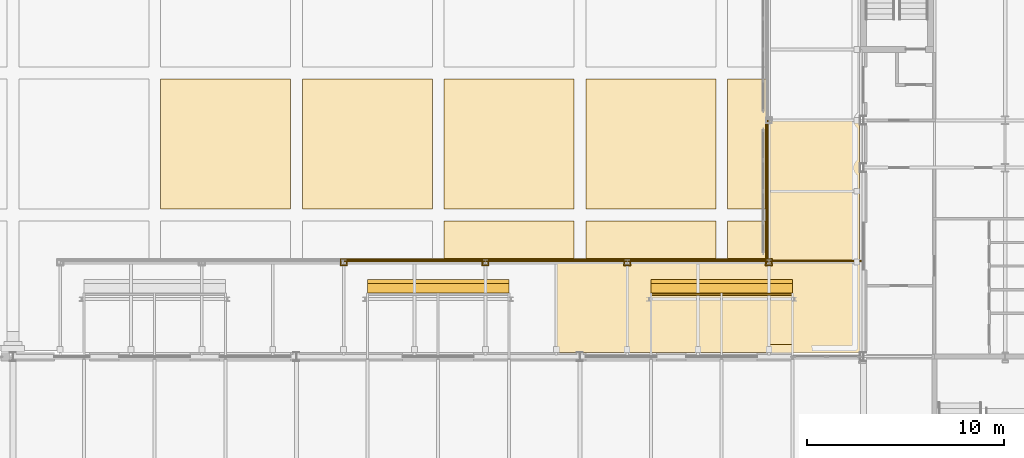
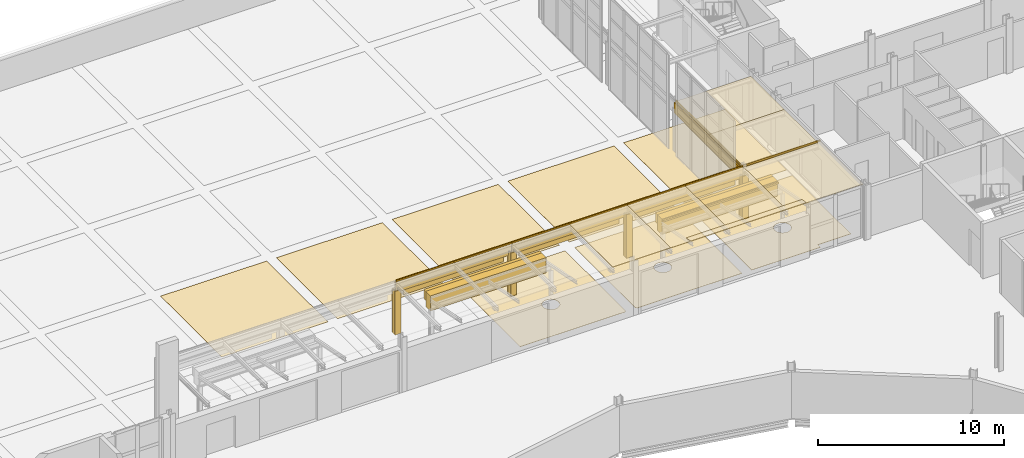
# One storey, part 114 of 143: 52 coverings.
"""IFC4 building model written with IfcOpenShell, lengths in metres."""

from ifc_helpers import new_model, si_unit, direction, frame, origin, origin_2d, place, context, subcontext, project, spatial, polyline, rectangle, outline, extrude, material, layer, layer_set, type_object, element, save


model = new_model("IFC4")

# Units and contexts
model_context = context("Model", 3, precision=1e-05, world=origin(), true_north=direction((0.0, 1.0)))
body_context = subcontext(model_context, "Body", "Model", "MODEL_VIEW")
ifc_project = project(units=[si_unit("LENGTHUNIT", "METRE"), si_unit("AREAUNIT", "SQUARE_METRE"), si_unit("VOLUMEUNIT", "CUBIC_METRE"), si_unit("PLANEANGLEUNIT", "RADIAN"), si_unit("MASSUNIT", "GRAM", prefix="KILO")], contexts=[model_context])

# Site, building, storey
site_placement = place(None, origin())
site = spatial("IfcSite", under=ifc_project, at=site_placement, CompositionType="ELEMENT")
building_placement = place(site_placement, origin())
building = spatial("IfcBuilding", under=site, at=building_placement, Name="Kupolbacken Congress Centre", CompositionType="ELEMENT")
storey_placement = place(building_placement, frame((0.0, 0.0, 7.199951171875)))
storey = spatial("IfcBuildingStorey", under=building, at=storey_placement, Name="L02", CompositionType="ELEMENT", Elevation=7.199951171875)

# Coverings
ifc_material_1 = material(Name="Limestone cladding", Category="masonry")
ifc_layer_1 = layer(ifc_material_1, 0.1201171875)
ifc_layer_set_1 = layer_set([ifc_layer_1], Name="Limestone cladding")
covering_type_1 = type_object("IfcCoveringType", Name="CV1 limestone cladding band 120", PredefinedType="CLADDING", material=ifc_layer_set_1)
for number, where, z_axis, x_axis, name in (
    (1, (38.39990234375, 127.344970703125, 0.0), (0.0, 0.0, 1.0), (1.0, 0.0, 0.0), "E/T/portico/P/col38.4/cladn"),
    (2, (38.39990234375, 127.054931640625, 0.0), (0.0, 0.0, 1.0), (1.0, 0.0, 0.0), "E/T/portico/P/col38.4/clads"),
):
    element("IfcCovering", number, at=place(storey_placement, frame(where, z_axis=z_axis, x_axis=x_axis)), inside=storey, type_object=covering_type_1, Name=name, PredefinedType="CLADDING", context=body_context, shape_type="SweptSolid", body=[
        extrude(rectangle(XDim=0.360107421875, YDim=0.06005859375, at=origin_2d()), origin(), (0.0, 0.0, 1.0), 2.8701171875),
    ])
for number, where, z_axis, x_axis, name in (
    (3, (38.550048828125, 127.199951171875, 0.0), (0.0, 0.0, 1.0), (1.0, 0.0, 0.0), "E/T/portico/P/col38.4/clade"),
    (4, (38.25, 127.199951171875, 0.0), (0.0, 0.0, 1.0), (1.0, 0.0, 0.0), "E/T/portico/P/col38.4/cladw"),
):
    element("IfcCovering", number, at=place(storey_placement, frame(where, z_axis=z_axis, x_axis=x_axis)), inside=storey, type_object=covering_type_1, Name=name, PredefinedType="CLADDING", context=body_context, shape_type="SweptSolid", body=[
        extrude(rectangle(XDim=0.06005859375, YDim=0.22998046875, at=origin_2d()), origin(), (0.0, 0.0, 1.0), 2.8701171875),
    ])
for number, where, z_axis, x_axis, name in (
    (5, (45.60009765625, 127.344970703125, 0.0), (0.0, 0.0, 1.0), (1.0, 0.0, 0.0), "E/T/portico/P/col45.6/cladn"),
    (6, (45.60009765625, 127.054931640625, 0.0), (0.0, 0.0, 1.0), (1.0, 0.0, 0.0), "E/T/portico/P/col45.6/clads"),
):
    element("IfcCovering", number, at=place(storey_placement, frame(where, z_axis=z_axis, x_axis=x_axis)), inside=storey, type_object=covering_type_1, Name=name, PredefinedType="CLADDING", context=body_context, shape_type="SweptSolid", body=[
        extrude(rectangle(XDim=0.360107421875, YDim=0.06005859375, at=origin_2d()), origin(), (0.0, 0.0, 1.0), 2.8701171875),
    ])
for number, where, z_axis, x_axis, name in (
    (7, (45.75, 127.199951171875, 0.0), (0.0, 0.0, 1.0), (1.0, 0.0, 0.0), "E/T/portico/P/col45.6/clade"),
    (8, (45.449951171875, 127.199951171875, 0.0), (0.0, 0.0, 1.0), (1.0, 0.0, 0.0), "E/T/portico/P/col45.6/cladw"),
):
    element("IfcCovering", number, at=place(storey_placement, frame(where, z_axis=z_axis, x_axis=x_axis)), inside=storey, type_object=covering_type_1, Name=name, PredefinedType="CLADDING", context=body_context, shape_type="SweptSolid", body=[
        extrude(rectangle(XDim=0.06005859375, YDim=0.22998046875, at=origin_2d()), origin(), (0.0, 0.0, 1.0), 2.8701171875),
    ])
for number, where, z_axis, x_axis, name in (
    (9, (52.800048828125, 127.344970703125, 0.0), (0.0, 0.0, 1.0), (1.0, 0.0, 0.0), "E/T/portico/P/col52.8/cladn"),
    (10, (52.800048828125, 127.054931640625, 0.0), (0.0, 0.0, 1.0), (1.0, 0.0, 0.0), "E/T/portico/P/col52.8/clads"),
):
    element("IfcCovering", number, at=place(storey_placement, frame(where, z_axis=z_axis, x_axis=x_axis)), inside=storey, type_object=covering_type_1, Name=name, PredefinedType="CLADDING", context=body_context, shape_type="SweptSolid", body=[
        extrude(rectangle(XDim=0.360107421875, YDim=0.06005859375, at=origin_2d()), origin(), (0.0, 0.0, 1.0), 2.8701171875),
    ])
for number, where, z_axis, x_axis, name in (
    (11, (52.949951171875, 127.199951171875, 0.0), (0.0, 0.0, 1.0), (1.0, 0.0, 0.0), "E/T/portico/P/col52.8/clade"),
    (12, (52.64990234375, 127.199951171875, 0.0), (0.0, 0.0, 1.0), (1.0, 0.0, 0.0), "E/T/portico/P/col52.8/cladw"),
):
    element("IfcCovering", number, at=place(storey_placement, frame(where, z_axis=z_axis, x_axis=x_axis)), inside=storey, type_object=covering_type_1, Name=name, PredefinedType="CLADDING", context=body_context, shape_type="SweptSolid", body=[
        extrude(rectangle(XDim=0.06005859375, YDim=0.22998046875, at=origin_2d()), origin(), (0.0, 0.0, 1.0), 2.8701171875),
    ])
for number, where, z_axis, x_axis, name in (
    (13, (60.0, 127.344970703125, 0.0), (0.0, 0.0, 1.0), (1.0, 0.0, 0.0), "E/T/portico/P/col60/cladn"),
    (14, (60.0, 127.054931640625, 0.0), (0.0, 0.0, 1.0), (1.0, 0.0, 0.0), "E/T/portico/P/col60/clads"),
):
    element("IfcCovering", number, at=place(storey_placement, frame(where, z_axis=z_axis, x_axis=x_axis)), inside=storey, type_object=covering_type_1, Name=name, PredefinedType="CLADDING", context=body_context, shape_type="SweptSolid", body=[
        extrude(rectangle(XDim=0.360107421875, YDim=0.06005859375, at=origin_2d()), origin(), (0.0, 0.0, 1.0), 2.8701171875),
    ])
for number, where, z_axis, x_axis, name in (
    (15, (60.14990234375, 127.199951171875, 0.0), (0.0, 0.0, 1.0), (1.0, 0.0, 0.0), "E/T/portico/P/col60/clade"),
    (16, (59.85009765625, 127.199951171875, 0.0), (0.0, 0.0, 1.0), (1.0, 0.0, 0.0), "E/T/portico/P/col60/cladw"),
):
    element("IfcCovering", number, at=place(storey_placement, frame(where, z_axis=z_axis, x_axis=x_axis)), inside=storey, type_object=covering_type_1, Name=name, PredefinedType="CLADDING", context=body_context, shape_type="SweptSolid", body=[
        extrude(rectangle(XDim=0.06005859375, YDim=0.22998046875, at=origin_2d()), origin(), (0.0, 0.0, 1.0), 2.8701171875),
    ])
covering_1_placement = place(storey_placement, frame((42.0, 127.330078125, 2.5703125), z_axis=(0.0, 0.0, 1.0), x_axis=(1.0, 0.0, 0.0)))
element("IfcCovering", 17, at=covering_1_placement, inside=storey, type_object=covering_type_1, Name="E/T/portico/P/fascia38.4", PredefinedType="CLADDING", context=body_context, shape_type="SweptSolid", body=[
    extrude(rectangle(XDim=7.199951171875, YDim=0.080078125, at=origin_2d()), origin(), (0.0, 0.0, 1.0), 0.699951171875),
])
covering_2_placement = place(storey_placement, frame((42.0, 127.330078125, 2.27001953125), z_axis=(0.0, 0.0, 1.0), x_axis=(1.0, 0.0, 0.0)))
element("IfcCovering", 18, at=covering_2_placement, inside=storey, type_object=covering_type_1, Name="E/T/portico/P/hood38.4", PredefinedType="CLADDING", context=body_context, shape_type="SweptSolid", body=[
    extrude(rectangle(XDim=6.199951171875, YDim=0.080078125, at=origin_2d()), origin(), (0.0, 0.0, 1.0), 0.300048828125),
])
covering_3_placement = place(storey_placement, frame((49.199951171875, 127.330078125, 2.5703125), z_axis=(0.0, 0.0, 1.0), x_axis=(1.0, 0.0, 0.0)))
element("IfcCovering", 19, at=covering_3_placement, inside=storey, type_object=covering_type_1, Name="E/T/portico/P/fascia45.6", PredefinedType="CLADDING", context=body_context, shape_type="SweptSolid", body=[
    extrude(rectangle(XDim=7.199951171875, YDim=0.080078125, at=origin_2d()), origin(), (0.0, 0.0, 1.0), 0.699951171875),
])
covering_4_placement = place(storey_placement, frame((49.199951171875, 127.330078125, 2.27001953125), z_axis=(0.0, 0.0, 1.0), x_axis=(1.0, 0.0, 0.0)))
element("IfcCovering", 20, at=covering_4_placement, inside=storey, type_object=covering_type_1, Name="E/T/portico/P/hood45.6", PredefinedType="CLADDING", context=body_context, shape_type="SweptSolid", body=[
    extrude(rectangle(XDim=6.199951171875, YDim=0.080078125, at=origin_2d()), origin(), (0.0, 0.0, 1.0), 0.300048828125),
])
covering_5_placement = place(storey_placement, frame((56.39990234375, 127.330078125, 2.5703125), z_axis=(0.0, 0.0, 1.0), x_axis=(1.0, 0.0, 0.0)))
element("IfcCovering", 21, at=covering_5_placement, inside=storey, type_object=covering_type_1, Name="E/T/portico/P/fascia52.8", PredefinedType="CLADDING", context=body_context, shape_type="SweptSolid", body=[
    extrude(rectangle(XDim=7.199951171875, YDim=0.080078125, at=origin_2d()), origin(), (0.0, 0.0, 1.0), 0.699951171875),
])
covering_6_placement = place(storey_placement, frame((56.39990234375, 127.330078125, 2.27001953125), z_axis=(0.0, 0.0, 1.0), x_axis=(1.0, 0.0, 0.0)))
element("IfcCovering", 22, at=covering_6_placement, inside=storey, type_object=covering_type_1, Name="E/T/portico/P/hood52.8", PredefinedType="CLADDING", context=body_context, shape_type="SweptSolid", body=[
    extrude(rectangle(XDim=6.199951171875, YDim=0.080078125, at=origin_2d()), origin(), (0.0, 0.0, 1.0), 0.300048828125),
])
covering_7_placement = place(storey_placement, frame((59.8701171875, 130.85009765625, 2.5703125), z_axis=(0.0, 0.0, 1.0), x_axis=(0.0, 1.0, 0.0)))
element("IfcCovering", 23, at=covering_7_placement, inside=storey, type_object=covering_type_1, Name="E/T/portico/W/fascia127.3", PredefinedType="CLADDING", context=body_context, shape_type="SweptSolid", body=[
    extrude(rectangle(XDim=7.10009765625, YDim=0.080078125, at=origin_2d()), origin(), (0.0, 0.0, 1.0), 0.699951171875),
])
ifc_material_2 = material(Name="Limestone cladding", Category="masonry")
ifc_layer_2 = layer(ifc_material_2, 0.5)
ifc_layer_set_2 = layer_set([ifc_layer_2], Name="Limestone cladding")
covering_type_2 = type_object("IfcCoveringType", Name="CV10 limestone cornice 500", PredefinedType="CLADDING", material=ifc_layer_set_2)
for number, where, z_axis, x_axis, name in (
    (24, (43.199951171875, 125.8701171875, 1.9560546875), (0.0, 0.0, 1.0), (-1.0, 0.0, 0.0), "F/HR/canopy/HEN2/board"),
    (25, (57.60009765625, 125.8701171875, 1.9560546875), (0.0, 0.0, 1.0), (-1.0, 0.0, 0.0), "F/HR/canopy/HEN3/board"),
):
    element("IfcCovering", number, at=place(storey_placement, frame(where, z_axis=z_axis, x_axis=x_axis)), inside=storey, type_object=covering_type_2, Name=name, PredefinedType="CLADDING", context=body_context, shape_type="SweptSolid", body=[
        extrude(rectangle(XDim=7.199951171875, YDim=0.5, at=origin_2d()), origin(), (0.0, 0.0, 1.0), 1.0),
    ])
ifc_material_3 = material(Name="Limestone cladding", Category="masonry")
ifc_layer_3 = layer(ifc_material_3, 0.199951171875)
ifc_layer_set_3 = layer_set([ifc_layer_3], Name="Limestone cladding")
covering_type_3 = type_object("IfcCoveringType", Name="CV9 limestone drum arch frame 200", PredefinedType="CLADDING", material=ifc_layer_set_3)
for number, where, z_axis, x_axis, name in (
    (26, (43.199951171875, 126.219970703125, 2.35595703125), (0.0, 0.0, 1.0), (-1.0, 0.0, 0.0), "F/HR/canopy/HEN2/cornice"),
    (27, (57.60009765625, 126.219970703125, 2.35595703125), (0.0, 0.0, 1.0), (-1.0, 0.0, 0.0), "F/HR/canopy/HEN3/cornice"),
):
    element("IfcCovering", number, at=place(storey_placement, frame(where, z_axis=z_axis, x_axis=x_axis)), inside=storey, type_object=covering_type_3, Name=name, PredefinedType="CLADDING", context=body_context, shape_type="SweptSolid", body=[
        extrude(rectangle(XDim=7.199951171875, YDim=0.199951171875, at=origin_2d()), origin(), (0.0, 0.0, 1.0), 0.60009765625),
    ])
ifc_material_4 = material(Name="Glass", Category="glass")
ifc_layer_4 = layer(ifc_material_4, 0.0439453125)
ifc_layer_set_4 = layer_set([ifc_layer_4], Name="Glass")
covering_type_4 = type_object("IfcCoveringType", Name="GC1 glazed canopy roof 44", PredefinedType="ROOFING", material=ifc_layer_set_4)
covering_8_placement = place(storey_placement, frame((61.199951171875, 122.510009765625, 3.4111328125), z_axis=(0.0, 0.190941843771, 0.981601351006), x_axis=(0.0, 0.981601351006, -0.190941843771)))
element("IfcCovering", 28, at=covering_8_placement, inside=storey, type_object=covering_type_4, Name="Pitched canopy glass", PredefinedType="ROOFING", context=body_context, shape_type="SweptSolid", body=[
    extrude(outline(polyline([(0.0, 0.0), (3.1684017332356906, 0.0), (3.1684017332356906, 7.199951171875), (0.0, 7.199951171875), (0.0, 0.0)])), origin(), (0.0, 0.0, -1.0), 0.035888671875),
])
for number, where, z_axis, x_axis, name in (
    (29, (51.0, 124.955078125, 3.27001953125), (0.0, 0.0, 1.0), (1.0, 0.0, 0.0), "Portico glass"),
    (30, (54.60009765625, 124.955078125, 3.27001953125), (0.0, 0.0, 1.0), (1.0, 0.0, 0.0), "Portico glass"),
    (31, (58.199951171875, 124.955078125, 3.27001953125), (0.0, 0.0, 1.0), (1.0, 0.0, 0.0), "Portico glass"),
):
    element("IfcCovering", number, at=place(storey_placement, frame(where, z_axis=z_axis, x_axis=x_axis)), inside=storey, type_object=covering_type_4, Name=name, PredefinedType="ROOFING", context=body_context, shape_type="SweptSolid", body=[
        extrude(rectangle(XDim=3.60009765625, YDim=4.669921875, at=origin_2d()), origin(), (0.0, 0.0, 1.0), 0.0439453125),
    ])
covering_9_placement = place(storey_placement, frame((62.39990234375, 124.955078125, 3.27001953125), z_axis=(0.0, 0.0, 1.0), x_axis=(1.0, 0.0, 0.0)))
element("IfcCovering", 32, at=covering_9_placement, inside=storey, type_object=covering_type_4, Name="Portico glass", PredefinedType="ROOFING", context=body_context, shape_type="SweptSolid", body=[
    extrude(rectangle(XDim=4.800048828125, YDim=4.669921875, at=origin_2d()), origin(), (0.0, 0.0, 1.0), 0.0439453125),
])
for number, where, z_axis, x_axis, name in (
    (33, (62.260009765625, 129.0, 3.27001953125), (0.0, 0.0, 1.0), (0.0, 1.0, 0.0), "Portico glass"),
    (34, (62.260009765625, 132.60009765625, 3.27001953125), (0.0, 0.0, 1.0), (0.0, 1.0, 0.0), "Portico glass"),
):
    element("IfcCovering", number, at=place(storey_placement, frame(where, z_axis=z_axis, x_axis=x_axis)), inside=storey, type_object=covering_type_4, Name=name, PredefinedType="ROOFING", context=body_context, shape_type="SweptSolid", body=[
        extrude(rectangle(XDim=3.60009765625, YDim=4.699951171875, at=origin_2d()), origin(), (0.0, 0.0, 1.0), 0.0439453125),
    ])
ifc_material_5 = material(Name="Limestone cladding", Category="masonry")
ifc_layer_5 = layer(ifc_material_5, 0.02001953125)
ifc_layer_set_5 = layer_set([ifc_layer_5], Name="Limestone cladding")
covering_type_5 = type_object("IfcCoveringType", Name="GF1 limestone paving 20", PredefinedType="FLOORING", material=ifc_layer_set_5)
covering_10_placement = place(storey_placement, origin())
element("IfcCovering", 35, at=covering_10_placement, inside=storey, type_object=covering_type_5, Name="Forecourt limestone paving", PredefinedType="FLOORING", context=body_context, shape_type="SweptSolid", body=[
    extrude(outline(polyline([(50.77099609375, 122.70458984375), (50.739501953125, 122.739501953125), (50.70458984375, 122.77099609375), (50.666748046875, 122.799072265625), (50.699951171875, 122.7744140625), (50.699951171875, 129.300048828125), (57.300048828125, 129.300048828125), (57.300048828125, 122.699951171875), (50.7744140625, 122.699951171875), (50.79150390625, 122.677001953125), (50.77099609375, 122.70458984375)]), holes=[polyline([(54.350830078125, 125.226318359375), (54.357666015625, 125.27294921875), (54.360107421875, 125.320068359375), (54.357666015625, 125.3671875), (54.350830078125, 125.413818359375), (54.33935546875, 125.459228515625), (54.323486328125, 125.503662109375), (54.303466796875, 125.54638671875), (54.279052734375, 125.586669921875), (54.251220703125, 125.62451171875), (54.219482421875, 125.659423828125), (54.1845703125, 125.691162109375), (54.146728515625, 125.718994140625), (54.106201171875, 125.743408203125), (54.063720703125, 125.763427734375), (54.019287109375, 125.779296875), (53.9736328125, 125.790771484375), (53.927001953125, 125.797607421875), (53.8798828125, 125.800048828125), (53.8330078125, 125.797607421875), (53.786376953125, 125.790771484375), (53.74072265625, 125.779296875), (53.6962890625, 125.763427734375), (53.65380859375, 125.743408203125), (53.61328125, 125.718994140625), (53.575439453125, 125.691162109375), (53.54052734375, 125.659423828125), (53.5087890625, 125.62451171875), (53.48095703125, 125.586669921875), (53.45654296875, 125.54638671875), (53.4365234375, 125.503662109375), (53.420654296875, 125.459228515625), (53.4091796875, 125.413818359375), (53.40234375, 125.3671875), (53.39990234375, 125.320068359375), (53.40234375, 125.27294921875), (53.4091796875, 125.226318359375), (53.420654296875, 125.1806640625), (53.4365234375, 125.13623046875), (53.45654296875, 125.09375), (53.48095703125, 125.05322265625), (53.5087890625, 125.015380859375), (53.54052734375, 124.980712890625), (53.575439453125, 124.948974609375), (53.61328125, 124.9208984375), (53.65380859375, 124.896484375), (53.6962890625, 124.87646484375), (53.74072265625, 124.860595703125), (53.786376953125, 124.84912109375), (53.8330078125, 124.84228515625), (53.8798828125, 124.840087890625), (53.927001953125, 124.84228515625), (53.9736328125, 124.84912109375), (54.019287109375, 124.860595703125), (54.063720703125, 124.87646484375), (54.106201171875, 124.896484375), (54.146728515625, 124.9208984375), (54.1845703125, 124.948974609375), (54.219482421875, 124.980712890625), (54.251220703125, 125.015380859375), (54.279052734375, 125.05322265625), (54.303466796875, 125.09375), (54.323486328125, 125.13623046875), (54.33935546875, 125.1806640625), (54.350830078125, 125.226318359375)])]), origin(), (0.0, 0.0, 1.0), 0.02001953125),
])
covering_11_placement = place(storey_placement, origin())
element("IfcCovering", 36, at=covering_11_placement, inside=storey, type_object=covering_type_5, Name="Forecourt limestone paving", PredefinedType="FLOORING", context=body_context, shape_type="SweptSolid", body=[
    extrude(outline(polyline([(50.095458984375, 122.77099609375), (50.060546875, 122.739501953125), (50.02880859375, 122.70458984375), (50.008544921875, 122.677001953125), (50.025634765625, 122.699951171875), (43.5, 122.699951171875), (43.5, 129.300048828125), (50.10009765625, 129.300048828125), (50.10009765625, 122.7744140625), (50.13330078125, 122.799072265625), (50.095458984375, 122.77099609375)]), holes=[polyline([(47.390869140625, 125.226318359375), (47.397705078125, 125.27294921875), (47.39990234375, 125.320068359375), (47.397705078125, 125.3671875), (47.390869140625, 125.413818359375), (47.37939453125, 125.459228515625), (47.363525390625, 125.503662109375), (47.343505859375, 125.54638671875), (47.319091796875, 125.586669921875), (47.291015625, 125.62451171875), (47.259521484375, 125.659423828125), (47.224609375, 125.691162109375), (47.186767578125, 125.718994140625), (47.146240234375, 125.743408203125), (47.103759765625, 125.763427734375), (47.059326171875, 125.779296875), (47.013671875, 125.790771484375), (46.967041015625, 125.797607421875), (46.919921875, 125.800048828125), (46.872802734375, 125.797607421875), (46.826416015625, 125.790771484375), (46.78076171875, 125.779296875), (46.736328125, 125.763427734375), (46.693603515625, 125.743408203125), (46.6533203125, 125.718994140625), (46.615478515625, 125.691162109375), (46.58056640625, 125.659423828125), (46.548828125, 125.62451171875), (46.52099609375, 125.586669921875), (46.49658203125, 125.54638671875), (46.4765625, 125.503662109375), (46.460693359375, 125.459228515625), (46.44921875, 125.413818359375), (46.4423828125, 125.3671875), (46.43994140625, 125.320068359375), (46.4423828125, 125.27294921875), (46.44921875, 125.226318359375), (46.460693359375, 125.1806640625), (46.4765625, 125.13623046875), (46.49658203125, 125.09375), (46.52099609375, 125.05322265625), (46.548828125, 125.015380859375), (46.58056640625, 124.980712890625), (46.615478515625, 124.948974609375), (46.6533203125, 124.9208984375), (46.693603515625, 124.896484375), (46.736328125, 124.87646484375), (46.78076171875, 124.860595703125), (46.826416015625, 124.84912109375), (46.872802734375, 124.84228515625), (46.919921875, 124.840087890625), (46.967041015625, 124.84228515625), (47.013671875, 124.84912109375), (47.059326171875, 124.860595703125), (47.103759765625, 124.87646484375), (47.146240234375, 124.896484375), (47.186767578125, 124.9208984375), (47.224609375, 124.948974609375), (47.259521484375, 124.980712890625), (47.291015625, 125.015380859375), (47.319091796875, 125.05322265625), (47.343505859375, 125.09375), (47.363525390625, 125.13623046875), (47.37939453125, 125.1806640625), (47.390869140625, 125.226318359375)])]), origin(), (0.0, 0.0, 1.0), 0.02001953125),
])
covering_12_placement = place(storey_placement, origin())
element("IfcCovering", 37, at=covering_12_placement, inside=storey, type_object=covering_type_5, Name="Forecourt limestone paving", PredefinedType="FLOORING", context=body_context, shape_type="SweptSolid", body=[
    extrude(outline(polyline([(64.22509765625, 129.89990234375), (57.89990234375, 129.89990234375), (57.89990234375, 136.5), (64.22509765625, 136.5), (64.22509765625, 129.89990234375)])), origin(), (0.0, 0.0, 1.0), 0.02001953125),
])
covering_13_placement = place(storey_placement, origin())
element("IfcCovering", 38, at=covering_13_placement, inside=storey, type_object=covering_type_5, Name="Forecourt limestone paving", PredefinedType="FLOORING", context=body_context, shape_type="SweptSolid", body=[
    extrude(outline(polyline([(64.22509765625, 122.97509765625), (62.159423828125, 122.97509765625), (62.177734375, 122.850830078125), (62.186279296875, 122.677001953125), (62.185302734375, 122.699951171875), (57.89990234375, 122.699951171875), (57.89990234375, 129.300048828125), (64.22509765625, 129.300048828125), (64.22509765625, 122.97509765625)]), holes=[polyline([(61.790771484375, 125.226318359375), (61.797607421875, 125.27294921875), (61.800048828125, 125.320068359375), (61.797607421875, 125.3671875), (61.790771484375, 125.413818359375), (61.779296875, 125.459228515625), (61.763427734375, 125.503662109375), (61.743408203125, 125.54638671875), (61.718994140625, 125.586669921875), (61.691162109375, 125.62451171875), (61.659423828125, 125.659423828125), (61.62451171875, 125.691162109375), (61.586669921875, 125.718994140625), (61.54638671875, 125.743408203125), (61.503662109375, 125.763427734375), (61.459228515625, 125.779296875), (61.413818359375, 125.790771484375), (61.3671875, 125.797607421875), (61.320068359375, 125.800048828125), (61.27294921875, 125.797607421875), (61.226318359375, 125.790771484375), (61.1806640625, 125.779296875), (61.13623046875, 125.763427734375), (61.09375, 125.743408203125), (61.05322265625, 125.718994140625), (61.015380859375, 125.691162109375), (60.980712890625, 125.659423828125), (60.948974609375, 125.62451171875), (60.9208984375, 125.586669921875), (60.896484375, 125.54638671875), (60.87646484375, 125.503662109375), (60.860595703125, 125.459228515625), (60.84912109375, 125.413818359375), (60.84228515625, 125.3671875), (60.840087890625, 125.320068359375), (60.84228515625, 125.27294921875), (60.84912109375, 125.226318359375), (60.860595703125, 125.1806640625), (60.87646484375, 125.13623046875), (60.896484375, 125.09375), (60.9208984375, 125.05322265625), (60.948974609375, 125.015380859375), (60.980712890625, 124.980712890625), (61.015380859375, 124.948974609375), (61.05322265625, 124.9208984375), (61.09375, 124.896484375), (61.13623046875, 124.87646484375), (61.1806640625, 124.860595703125), (61.226318359375, 124.84912109375), (61.27294921875, 124.84228515625), (61.320068359375, 124.840087890625), (61.3671875, 124.84228515625), (61.413818359375, 124.84912109375), (61.459228515625, 124.860595703125), (61.503662109375, 124.87646484375), (61.54638671875, 124.896484375), (61.586669921875, 124.9208984375), (61.62451171875, 124.948974609375), (61.659423828125, 124.980712890625), (61.691162109375, 125.015380859375), (61.718994140625, 125.05322265625), (61.743408203125, 125.09375), (61.763427734375, 125.13623046875), (61.779296875, 125.1806640625), (61.790771484375, 125.226318359375)])]), origin(), (0.0, 0.0, 1.0), 0.02001953125),
])
covering_14_placement = place(storey_placement, origin())
element("IfcCovering", 39, at=covering_14_placement, inside=storey, type_object=covering_type_5, Name="Forecourt limestone paving", PredefinedType="FLOORING", context=body_context, shape_type="SweptSolid", body=[
    extrude(outline(polyline([(50.699951171875, 136.5), (57.300048828125, 136.5), (57.300048828125, 129.89990234375), (50.699951171875, 129.89990234375), (50.699951171875, 136.5)])), origin(), (0.0, 0.0, 1.0), 0.02001953125),
])
covering_15_placement = place(storey_placement, origin())
element("IfcCovering", 40, at=covering_15_placement, inside=storey, type_object=covering_type_5, Name="Forecourt limestone paving", PredefinedType="FLOORING", context=body_context, shape_type="SweptSolid", body=[
    extrude(outline(polyline([(43.5, 136.5), (50.10009765625, 136.5), (50.10009765625, 129.89990234375), (43.5, 129.89990234375), (43.5, 136.5)])), origin(), (0.0, 0.0, 1.0), 0.02001953125),
])
covering_16_placement = place(storey_placement, origin())
element("IfcCovering", 41, at=covering_16_placement, inside=storey, type_object=covering_type_5, Name="Forecourt limestone paving", PredefinedType="FLOORING", context=body_context, shape_type="SweptSolid", body=[
    extrude(outline(polyline([(36.300048828125, 136.5), (42.89990234375, 136.5), (42.89990234375, 129.89990234375), (36.300048828125, 129.89990234375), (36.300048828125, 136.5)])), origin(), (0.0, 0.0, 1.0), 0.02001953125),
])
covering_17_placement = place(storey_placement, origin())
element("IfcCovering", 42, at=covering_17_placement, inside=storey, type_object=covering_type_5, Name="Forecourt limestone paving", PredefinedType="FLOORING", context=body_context, shape_type="SweptSolid", body=[
    extrude(outline(polyline([(29.10009765625, 136.5), (35.699951171875, 136.5), (35.699951171875, 129.89990234375), (29.10009765625, 129.89990234375), (29.10009765625, 136.5)])), origin(), (0.0, 0.0, 1.0), 0.02001953125),
])
ifc_material_6 = material(Name="Steel S355", Category="steel")
ifc_layer_6 = layer(ifc_material_6, 0.06005859375)
ifc_layer_set_6 = layer_set([ifc_layer_6], Name="Steel S355")
covering_type_6 = type_object("IfcCoveringType", Name="SG1 snow guard bar 60 x 100", PredefinedType="CLADDING", material=ifc_layer_set_6)
covering_18_placement = place(storey_placement, frame((57.60009765625, 125.570068359375, 2.815673828125), z_axis=(0.0, 0.0, 1.0), x_axis=(-1.0, 0.0, 0.0)))
element("IfcCovering", 43, at=covering_18_placement, inside=storey, type_object=covering_type_6, Name="Snow guard", PredefinedType="CLADDING", context=body_context, shape_type="SweptSolid", body=[
    extrude(rectangle(XDim=7.199951171875, YDim=0.10009765625, at=origin_2d()), origin(), (0.0, 0.0, 1.0), 0.10009765625),
])
for number, where, z_axis, x_axis, name in (
    (44, (40.199951171875, 127.260009765625, 3.31396484375), (0.0, 0.0, 1.0), (1.0, 0.0, 0.0), "Snow guard"),
    (45, (43.800048828125, 127.260009765625, 3.31396484375), (0.0, 0.0, 1.0), (1.0, 0.0, 0.0), "Snow guard"),
    (46, (47.39990234375, 127.260009765625, 3.31396484375), (0.0, 0.0, 1.0), (1.0, 0.0, 0.0), "Snow guard"),
    (47, (51.0, 127.260009765625, 3.31396484375), (0.0, 0.0, 1.0), (1.0, 0.0, 0.0), "Snow guard"),
    (48, (54.60009765625, 127.260009765625, 3.31396484375), (0.0, 0.0, 1.0), (1.0, 0.0, 0.0), "Snow guard"),
    (49, (58.199951171875, 127.260009765625, 3.31396484375), (0.0, 0.0, 1.0), (1.0, 0.0, 0.0), "Snow guard"),
):
    element("IfcCovering", number, at=place(storey_placement, frame(where, z_axis=z_axis, x_axis=x_axis)), inside=storey, type_object=covering_type_6, Name=name, PredefinedType="CLADDING", context=body_context, shape_type="SweptSolid", body=[
        extrude(rectangle(XDim=3.60009765625, YDim=0.06005859375, at=origin_2d()), origin(), (0.0, 0.0, 1.0), 0.10009765625),
    ])
covering_19_placement = place(storey_placement, frame((62.39990234375, 127.260009765625, 3.31396484375), z_axis=(0.0, 0.0, 1.0), x_axis=(1.0, 0.0, 0.0)))
element("IfcCovering", 50, at=covering_19_placement, inside=storey, type_object=covering_type_6, Name="Snow guard", PredefinedType="CLADDING", context=body_context, shape_type="SweptSolid", body=[
    extrude(rectangle(XDim=4.800048828125, YDim=0.06005859375, at=origin_2d()), origin(), (0.0, 0.0, 1.0), 0.10009765625),
])
for number, where, z_axis, x_axis, name in (
    (51, (59.93994140625, 129.0, 3.31396484375), (0.0, 0.0, 1.0), (0.0, 1.0, 0.0), "Snow guard"),
    (52, (59.93994140625, 132.60009765625, 3.31396484375), (0.0, 0.0, 1.0), (0.0, 1.0, 0.0), "Snow guard"),
):
    element("IfcCovering", number, at=place(storey_placement, frame(where, z_axis=z_axis, x_axis=x_axis)), inside=storey, type_object=covering_type_6, Name=name, PredefinedType="CLADDING", context=body_context, shape_type="SweptSolid", body=[
        extrude(rectangle(XDim=3.60009765625, YDim=0.06005859375, at=origin_2d()), origin(), (0.0, 0.0, 1.0), 0.10009765625),
    ])

save(model, "model.ifc")
